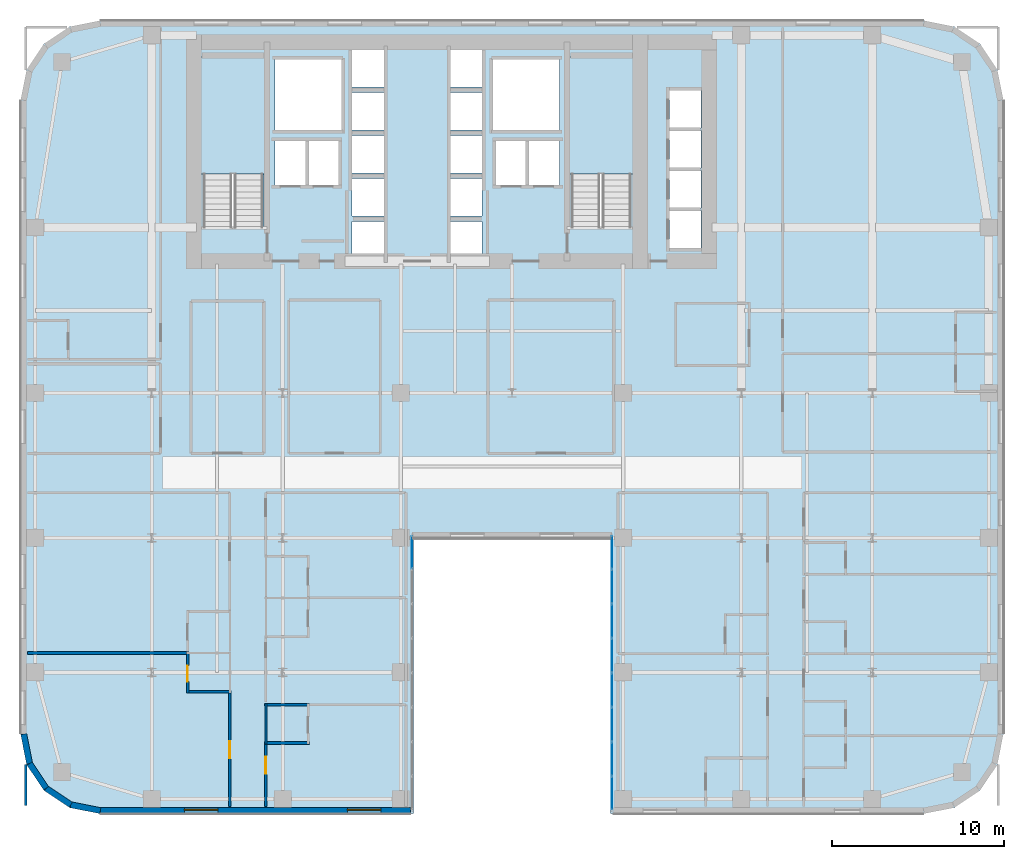
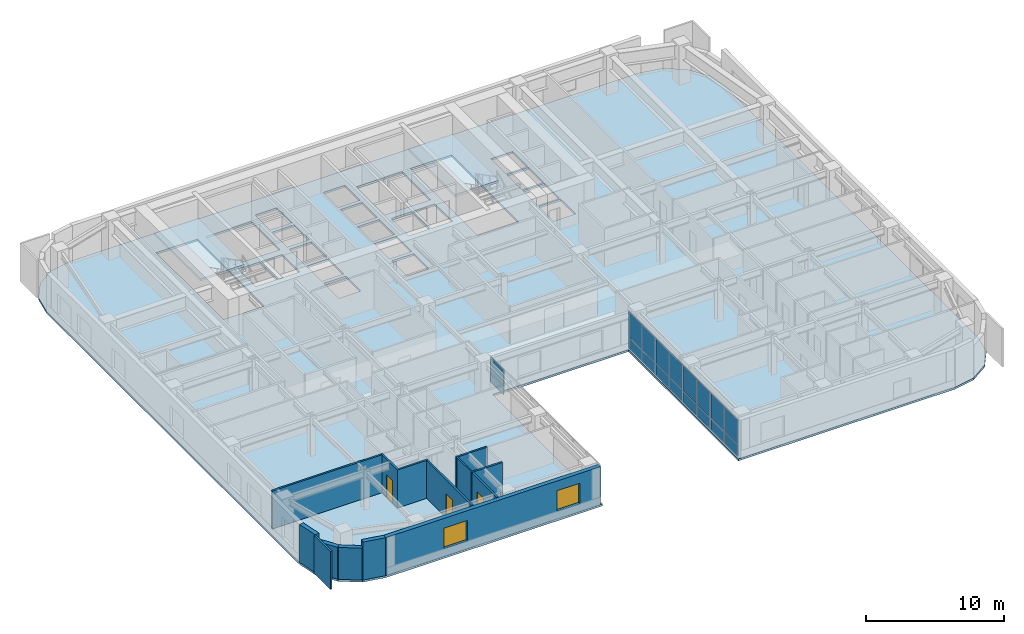
# One storey, part 13 of 24: 17 plates, 14 walls, 3 doors, 3 slabs, 2 windows, 5 openings, 4 elements without a shape of their own.
"""IFC4 building model written with IfcOpenShell, lengths in metres."""

from ifc_helpers import new_model, si_unit, direction, frame, frame_2d, origin, origin_2d, place, context, subcontext, project, spatial, polyline, rectangle, outline, extrude, source, transform, mapped, material, layer, layer_set, type_object, type_shapes, element, fill, aggregate, save


model = new_model("IFC4")

# Units and contexts
model_context = context("Model", 3, precision=1e-05, world=origin(), true_north=direction((0.0, 1.0)))
body_context = subcontext(model_context, "Body", "Model", "MODEL_VIEW")
ifc_project = project(units=[si_unit("LENGTHUNIT", "METRE"), si_unit("AREAUNIT", "SQUARE_METRE"), si_unit("VOLUMEUNIT", "CUBIC_METRE"), si_unit("PLANEANGLEUNIT", "RADIAN"), si_unit("MASSUNIT", "GRAM", prefix="KILO")], contexts=[model_context])

# Site, building, storey
site_placement = place(None, origin())
site = spatial("IfcSite", under=ifc_project, at=site_placement, CompositionType="ELEMENT")
building_placement = place(site_placement, origin())
building = spatial("IfcBuilding", under=site, at=building_placement, Name="Tolvann Quenvar Hotel", CompositionType="ELEMENT")
storey_placement = place(building_placement, frame((0.0, 0.0, 67.5)))
storey = spatial("IfcBuildingStorey", under=building, at=storey_placement, Name="L16", CompositionType="ELEMENT", Elevation=67.5)

# Stair, slab
ifc_material_1 = material(Name="Concrete N40 (40 MPa)", Category="concrete")
stair_type = type_object("IfcStairType", Name="STAIR", PredefinedType="HALF_TURN_STAIR", material=ifc_material_1)
stair_1_placement = place(storey_placement, origin())
stair_1 = element("IfcStair", 1, at=stair_1_placement, inside=storey, type_object=stair_type, Name="L16 ST-C1", PredefinedType="HALF_TURN_STAIR")
ifc_layer_1 = layer(ifc_material_1, 0.199951171875)
ifc_layer_set_1 = layer_set([ifc_layer_1], Name="Concrete N40 (40 MPa)")
slab_type_1 = type_object("IfcSlabType", Name="SLAB_LANDING", PredefinedType="LANDING", material=ifc_layer_set_1)
slab_1_placement = place(storey_placement, frame((0.0, 0.0, 1.574951171875)))
slab_1 = element("IfcSlab", 2, at=slab_1_placement, type_object=slab_type_1, Name="ST-C1 landing 1", PredefinedType="LANDING", context=body_context, shape_type="SweptSolid", body=[
    extrude(outline(polyline([(14.179931640625, 37.10498046875), (14.179931640625, 43.8798828125), (10.469970703125, 43.8798828125), (10.469970703125, 37.10498046875), (14.179931640625, 37.10498046875)])), origin(), (0.0, 0.0, 1.0), 0.199951171875),
])
aggregate(stair_1, [slab_1])

stair_2_placement = place(storey_placement, origin())
stair_2 = element("IfcStair", 3, at=stair_2_placement, inside=storey, type_object=stair_type, Name="L16 ST-C2", PredefinedType="HALF_TURN_STAIR")
slab_2_placement = place(storey_placement, frame((0.0, 0.0, 1.574951171875)))
slab_2 = element("IfcSlab", 4, at=slab_2_placement, type_object=slab_type_1, Name="ST-C2 landing 1", PredefinedType="LANDING", context=body_context, shape_type="SweptSolid", body=[
    extrude(outline(polyline([(35.530029296875, 37.10498046875), (35.530029296875, 43.8798828125), (31.820068359375, 43.8798828125), (31.820068359375, 37.10498046875), (35.530029296875, 37.10498046875)])), origin(), (0.0, 0.0, 1.0), 0.199951171875),
])
aggregate(stair_2, [slab_2])

# Slab
ifc_layer_2 = layer(ifc_material_1, 0.179931640625)
ifc_layer_set_2 = layer_set([ifc_layer_2], Name="Concrete N40 (40 MPa)")
slab_type_2 = type_object("IfcSlabType", Name="SLAB_TWR_180", PredefinedType="FLOOR", material=ifc_layer_set_2)
slab_3_placement = place(storey_placement, frame((0.0, 0.0, -0.179931640625)))
element("IfcSlab", 5, at=slab_3_placement, inside=storey, type_object=slab_type_2, Name="Level L16 Structural Floor Slab", PredefinedType="FLOOR", context=body_context, shape_type="SweptSolid", body=[
    extrude(outline(polyline([(0.0, 4.60009765625), (0.35009765625, 2.839599609375), (1.347412109375, 1.347412109375), (2.839599609375, 0.35009765625), (4.60009765625, 0.0), (22.800048828125, 0.0), (22.800048828125, 16.0), (34.199951171875, 16.0), (34.199951171875, 0.0), (52.39990234375, 0.0), (54.160400390625, 0.35009765625), (55.652587890625, 1.347412109375), (56.64990234375, 2.839599609375), (57.0, 4.60009765625), (57.0, 41.39990234375), (56.64990234375, 43.160400390625), (55.652587890625, 44.652587890625), (54.160400390625, 45.64990234375), (52.39990234375, 46.0), (4.60009765625, 46.0), (2.839599609375, 45.64990234375), (1.347412109375, 44.652587890625), (0.35009765625, 43.160400390625), (0.0, 41.39990234375), (0.0, 4.60009765625)]), holes=[polyline([(37.6298828125, 41.949951171875), (39.469970703125, 41.949951171875), (39.469970703125, 39.77001953125), (37.6298828125, 39.77001953125), (37.6298828125, 41.949951171875)]), polyline([(37.6298828125, 39.6298828125), (39.469970703125, 39.6298828125), (39.469970703125, 37.449951171875), (37.6298828125, 37.449951171875), (37.6298828125, 39.6298828125)]), polyline([(37.6298828125, 37.31005859375), (39.469970703125, 37.31005859375), (39.469970703125, 35.1298828125), (37.6298828125, 35.1298828125), (37.6298828125, 37.31005859375)]), polyline([(37.6298828125, 34.989990234375), (39.469970703125, 34.989990234375), (39.469970703125, 32.81005859375), (37.6298828125, 32.81005859375), (37.6298828125, 34.989990234375)]), polyline([(31.949951171875, 43.800048828125), (35.39990234375, 43.800048828125), (35.39990234375, 34.02490234375), (31.949951171875, 34.02490234375), (31.949951171875, 43.800048828125)]), polyline([(31.25, 39.02001953125), (31.25, 36.47998046875), (29.449951171875, 36.47998046875), (29.449951171875, 39.02001953125), (31.25, 39.02001953125)]), polyline([(31.25, 43.75), (31.25, 39.64990234375), (27.39990234375, 39.64990234375), (27.39990234375, 43.75), (31.25, 43.75)]), polyline([(27.574951171875, 39.02001953125), (29.324951171875, 39.02001953125), (29.324951171875, 36.47998046875), (27.574951171875, 36.47998046875), (27.574951171875, 39.02001953125)]), polyline([(26.77001953125, 36.840087890625), (26.77001953125, 34.659912109375), (24.929931640625, 34.659912109375), (24.929931640625, 36.840087890625), (26.77001953125, 36.840087890625)]), polyline([(26.77001953125, 44.340087890625), (26.77001953125, 42.159912109375), (24.929931640625, 42.159912109375), (24.929931640625, 44.340087890625), (26.77001953125, 44.340087890625)]), polyline([(26.77001953125, 41.840087890625), (26.77001953125, 39.659912109375), (24.929931640625, 39.659912109375), (24.929931640625, 41.840087890625), (26.77001953125, 41.840087890625)]), polyline([(26.77001953125, 39.340087890625), (26.77001953125, 37.159912109375), (24.929931640625, 37.159912109375), (24.929931640625, 39.340087890625), (26.77001953125, 39.340087890625)]), polyline([(24.929931640625, 34.340087890625), (26.77001953125, 34.340087890625), (26.77001953125, 32.159912109375), (24.929931640625, 32.159912109375), (24.929931640625, 34.340087890625)]), polyline([(21.070068359375, 44.340087890625), (21.070068359375, 42.159912109375), (19.22998046875, 42.159912109375), (19.22998046875, 44.340087890625), (21.070068359375, 44.340087890625)]), polyline([(19.22998046875, 41.840087890625), (21.070068359375, 41.840087890625), (21.070068359375, 39.659912109375), (19.22998046875, 39.659912109375), (19.22998046875, 41.840087890625)]), polyline([(21.070068359375, 39.340087890625), (21.070068359375, 37.159912109375), (19.22998046875, 37.159912109375), (19.22998046875, 39.340087890625), (21.070068359375, 39.340087890625)]), polyline([(19.22998046875, 36.840087890625), (21.070068359375, 36.840087890625), (21.070068359375, 34.659912109375), (19.22998046875, 34.659912109375), (19.22998046875, 36.840087890625)]), polyline([(19.22998046875, 34.340087890625), (21.070068359375, 34.340087890625), (21.070068359375, 32.159912109375), (19.22998046875, 32.159912109375), (19.22998046875, 34.340087890625)]), polyline([(18.60009765625, 43.75), (18.60009765625, 39.64990234375), (14.75, 39.64990234375), (14.75, 43.75), (18.60009765625, 43.75)]), polyline([(16.675048828125, 39.02001953125), (18.425048828125, 39.02001953125), (18.425048828125, 36.47998046875), (16.675048828125, 36.47998046875), (16.675048828125, 39.02001953125)]), polyline([(16.550048828125, 39.02001953125), (16.550048828125, 36.47998046875), (14.75, 36.47998046875), (14.75, 39.02001953125), (16.550048828125, 39.02001953125)]), polyline([(10.60009765625, 43.800048828125), (14.050048828125, 43.800048828125), (14.050048828125, 34.02490234375), (10.60009765625, 34.02490234375), (10.60009765625, 43.800048828125)])]), origin(), (0.0, 0.0, 1.0), 0.179931640625),
])

# Curtain wall, plates
ifc_material_2 = material(Name="Thermally broken anodised architectural aluminium 6063-T6 and laminated low-E glass", Category="aluminium")
ifc_layer_3 = layer(ifc_material_2, 0.179931640625)
ifc_layer_set_3 = layer_set([ifc_layer_3], Name="Thermally broken anodised architectural aluminium 6063-T6 and laminated low-E glass")
curtain_wall_type = type_object("IfcCurtainWallType", Name="CW_SYS_SLOT_03", PredefinedType="USERDEFINED", material=ifc_layer_set_3)
curtain_wall_1_placement = place(storey_placement, origin())
curtain_wall_1 = element("IfcCurtainWall", 6, at=curtain_wall_1_placement, inside=storey, type_object=curtain_wall_type, Name="Curtain Wall CW-SLOT-03 (CWR-L16-E07)", ObjectType="UNITISED CURTAIN WALL", PredefinedType="USERDEFINED")
ifc_material_3 = material(Name="Low-iron laminated double glazing with solar-control coating", Category="glass")
ifc_layer_4 = layer(ifc_material_3, 0.028076171875)
ifc_layer_set_4 = layer_set([ifc_layer_4], Name="Low-iron laminated double glazing with solar-control coating")
plate_type = type_object("IfcPlateType", Name="CW_PAN_VISION_28", PredefinedType="CURTAIN_PANEL", material=ifc_layer_set_4)
shared_shape_1 = source(origin(), body_context, "Body", "SweptSolid", [
    extrude(rectangle(XDim=1.89501953125, YDim=0.028076171875, at=origin_2d()), origin(), (0.0, 0.0, 1.0), 0.9599609375),
])
plate_1_placement = place(storey_placement, frame((34.2900390625, 15.157470703125, 0.06005859375), z_axis=(0.0, 0.0, 1.0), x_axis=(0.0, -1.0, 0.0)))
plate_1 = element("IfcPlate", 7, at=plate_1_placement, type_object=plate_type, Name="CW-SLOT-03 panel 1.1", PredefinedType="CURTAIN_PANEL", context=body_context, shape_type="MappedRepresentation", body=[
    mapped(shared_shape_1, transform((0.0, 0.0, 0.0), x_axis=(1.0, 0.0, 0.0), y_axis=(0.0, 1.0, 0.0), z_axis=(0.0, 0.0, 1.0), scale=1.0)),
])
plate_2_placement = place(storey_placement, frame((34.2900390625, 1.1923828125, 0.06005859375), z_axis=(0.0, 0.0, 1.0), x_axis=(0.0, -1.0, 0.0)))
plate_2 = element("IfcPlate", 8, at=plate_2_placement, type_object=plate_type, Name="CW-SLOT-03 panel 8.1", PredefinedType="CURTAIN_PANEL", context=body_context, shape_type="MappedRepresentation", body=[
    mapped(shared_shape_1, transform((0.0, 0.0, 0.0), x_axis=(1.0, 0.0, 0.0), y_axis=(0.0, 1.0, 0.0), z_axis=(0.0, 0.0, 1.0), scale=1.0)),
])

# Curtain wall, plate
curtain_wall_2_placement = place(storey_placement, origin())
curtain_wall_2 = element("IfcCurtainWall", 9, at=curtain_wall_2_placement, inside=storey, type_object=curtain_wall_type, Name="Curtain Wall CW-SLOT-03 (CWR-L16-E05)", ObjectType="UNITISED CURTAIN WALL", PredefinedType="USERDEFINED")
shared_shape_2 = source(origin(), body_context, "Body", "SweptSolid", [
    extrude(rectangle(XDim=1.89501953125, YDim=0.028076171875, at=origin_2d()), origin(), (0.0, 0.0, 1.0), 2.22998046875),
])
plate_3_placement = place(storey_placement, frame((22.7099609375, 15.157470703125, 1.080078125), z_axis=(0.0, 0.0, 1.0), x_axis=(0.0, 1.0, 0.0)))
plate_3 = element("IfcPlate", 10, at=plate_3_placement, type_object=plate_type, Name="CW-SLOT-03 panel 8.2", PredefinedType="CURTAIN_PANEL", context=body_context, shape_type="MappedRepresentation", body=[
    mapped(shared_shape_2, transform((0.0, 0.0, 0.0), x_axis=(1.0, 0.0, 0.0), y_axis=(0.0, 1.0, 0.0), z_axis=(0.0, 0.0, 1.0), scale=1.0)),
])
aggregate(curtain_wall_2, [plate_3])

# Plate
plate_4_placement = place(storey_placement, frame((34.2900390625, 15.157470703125, 1.080078125), z_axis=(0.0, 0.0, 1.0), x_axis=(0.0, -1.0, 0.0)))
plate_4 = element("IfcPlate", 11, at=plate_4_placement, type_object=plate_type, Name="CW-SLOT-03 panel 1.2", PredefinedType="CURTAIN_PANEL", context=body_context, shape_type="MappedRepresentation", body=[
    mapped(shared_shape_2, transform((0.0, 0.0, 0.0), x_axis=(1.0, 0.0, 0.0), y_axis=(0.0, 1.0, 0.0), z_axis=(0.0, 0.0, 1.0), scale=1.0)),
])

plate_5_placement = place(storey_placement, frame((34.2900390625, 1.1923828125, 1.080078125), z_axis=(0.0, 0.0, 1.0), x_axis=(0.0, -1.0, 0.0)))
plate_5 = element("IfcPlate", 12, at=plate_5_placement, type_object=plate_type, Name="CW-SLOT-03 panel 8.2", PredefinedType="CURTAIN_PANEL", context=body_context, shape_type="MappedRepresentation", body=[
    mapped(shared_shape_2, transform((0.0, 0.0, 0.0), x_axis=(1.0, 0.0, 0.0), y_axis=(0.0, 1.0, 0.0), z_axis=(0.0, 0.0, 1.0), scale=1.0)),
])

shared_shape_3 = source(origin(), body_context, "Body", "SweptSolid", [
    extrude(rectangle(XDim=1.929931640625, YDim=0.028076171875, at=origin_2d()), origin(), (0.0, 0.0, 1.0), 0.9599609375),
])
plate_6_placement = place(storey_placement, frame((34.2900390625, 13.175048828125, 0.06005859375), z_axis=(0.0, 0.0, 1.0), x_axis=(0.0, -1.0, 0.0)))
plate_6 = element("IfcPlate", 13, at=plate_6_placement, type_object=plate_type, Name="CW-SLOT-03 panel 2.1", PredefinedType="CURTAIN_PANEL", context=body_context, shape_type="MappedRepresentation", body=[
    mapped(shared_shape_3, transform((0.0, 0.0, 0.0), x_axis=(1.0, 0.0, 0.0), y_axis=(0.0, 1.0, 0.0), z_axis=(0.0, 0.0, 1.0), scale=1.0)),
])

plate_7_placement = place(storey_placement, frame((34.2900390625, 11.175048828125, 0.06005859375), z_axis=(0.0, 0.0, 1.0), x_axis=(0.0, -1.0, 0.0)))
plate_7 = element("IfcPlate", 14, at=plate_7_placement, type_object=plate_type, Name="CW-SLOT-03 panel 3.1", PredefinedType="CURTAIN_PANEL", context=body_context, shape_type="MappedRepresentation", body=[
    mapped(shared_shape_3, transform((0.0, 0.0, 0.0), x_axis=(1.0, 0.0, 0.0), y_axis=(0.0, 1.0, 0.0), z_axis=(0.0, 0.0, 1.0), scale=1.0)),
])

plate_8_placement = place(storey_placement, frame((34.2900390625, 9.175048828125, 0.06005859375), z_axis=(0.0, 0.0, 1.0), x_axis=(0.0, -1.0, 0.0)))
plate_8 = element("IfcPlate", 15, at=plate_8_placement, type_object=plate_type, Name="CW-SLOT-03 panel 4.1", PredefinedType="CURTAIN_PANEL", context=body_context, shape_type="MappedRepresentation", body=[
    mapped(shared_shape_3, transform((0.0, 0.0, 0.0), x_axis=(1.0, 0.0, 0.0), y_axis=(0.0, 1.0, 0.0), z_axis=(0.0, 0.0, 1.0), scale=1.0)),
])

plate_9_placement = place(storey_placement, frame((34.2900390625, 7.175048828125, 0.06005859375), z_axis=(0.0, 0.0, 1.0), x_axis=(0.0, -1.0, 0.0)))
plate_9 = element("IfcPlate", 16, at=plate_9_placement, type_object=plate_type, Name="CW-SLOT-03 panel 5.1", PredefinedType="CURTAIN_PANEL", context=body_context, shape_type="MappedRepresentation", body=[
    mapped(shared_shape_3, transform((0.0, 0.0, 0.0), x_axis=(1.0, 0.0, 0.0), y_axis=(0.0, 1.0, 0.0), z_axis=(0.0, 0.0, 1.0), scale=1.0)),
])

plate_10_placement = place(storey_placement, frame((34.2900390625, 5.175048828125, 0.06005859375), z_axis=(0.0, 0.0, 1.0), x_axis=(0.0, -1.0, 0.0)))
plate_10 = element("IfcPlate", 17, at=plate_10_placement, type_object=plate_type, Name="CW-SLOT-03 panel 6.1", PredefinedType="CURTAIN_PANEL", context=body_context, shape_type="MappedRepresentation", body=[
    mapped(shared_shape_3, transform((0.0, 0.0, 0.0), x_axis=(1.0, 0.0, 0.0), y_axis=(0.0, 1.0, 0.0), z_axis=(0.0, 0.0, 1.0), scale=1.0)),
])

plate_11_placement = place(storey_placement, frame((34.2900390625, 3.175048828125, 0.06005859375), z_axis=(0.0, 0.0, 1.0), x_axis=(0.0, -1.0, 0.0)))
plate_11 = element("IfcPlate", 18, at=plate_11_placement, type_object=plate_type, Name="CW-SLOT-03 panel 7.1", PredefinedType="CURTAIN_PANEL", context=body_context, shape_type="MappedRepresentation", body=[
    mapped(shared_shape_3, transform((0.0, 0.0, 0.0), x_axis=(1.0, 0.0, 0.0), y_axis=(0.0, 1.0, 0.0), z_axis=(0.0, 0.0, 1.0), scale=1.0)),
])

shared_shape_4 = source(origin(), body_context, "Body", "SweptSolid", [
    extrude(rectangle(XDim=1.929931640625, YDim=0.028076171875, at=origin_2d()), origin(), (0.0, 0.0, 1.0), 2.22998046875),
])
type_shapes(plate_type, [shared_shape_1, shared_shape_2, shared_shape_3, shared_shape_4])
plate_12_placement = place(storey_placement, frame((34.2900390625, 13.175048828125, 1.080078125), z_axis=(0.0, 0.0, 1.0), x_axis=(0.0, -1.0, 0.0)))
plate_12 = element("IfcPlate", 19, at=plate_12_placement, type_object=plate_type, Name="CW-SLOT-03 panel 2.2", PredefinedType="CURTAIN_PANEL", context=body_context, shape_type="MappedRepresentation", body=[
    mapped(shared_shape_4, transform((0.0, 0.0, 0.0), x_axis=(1.0, 0.0, 0.0), y_axis=(0.0, 1.0, 0.0), z_axis=(0.0, 0.0, 1.0), scale=1.0)),
])

plate_13_placement = place(storey_placement, frame((34.2900390625, 11.175048828125, 1.080078125), z_axis=(0.0, 0.0, 1.0), x_axis=(0.0, -1.0, 0.0)))
plate_13 = element("IfcPlate", 20, at=plate_13_placement, type_object=plate_type, Name="CW-SLOT-03 panel 3.2", PredefinedType="CURTAIN_PANEL", context=body_context, shape_type="MappedRepresentation", body=[
    mapped(shared_shape_4, transform((0.0, 0.0, 0.0), x_axis=(1.0, 0.0, 0.0), y_axis=(0.0, 1.0, 0.0), z_axis=(0.0, 0.0, 1.0), scale=1.0)),
])

plate_14_placement = place(storey_placement, frame((34.2900390625, 9.175048828125, 1.080078125), z_axis=(0.0, 0.0, 1.0), x_axis=(0.0, -1.0, 0.0)))
plate_14 = element("IfcPlate", 21, at=plate_14_placement, type_object=plate_type, Name="CW-SLOT-03 panel 4.2", PredefinedType="CURTAIN_PANEL", context=body_context, shape_type="MappedRepresentation", body=[
    mapped(shared_shape_4, transform((0.0, 0.0, 0.0), x_axis=(1.0, 0.0, 0.0), y_axis=(0.0, 1.0, 0.0), z_axis=(0.0, 0.0, 1.0), scale=1.0)),
])

plate_15_placement = place(storey_placement, frame((34.2900390625, 7.175048828125, 1.080078125), z_axis=(0.0, 0.0, 1.0), x_axis=(0.0, -1.0, 0.0)))
plate_15 = element("IfcPlate", 22, at=plate_15_placement, type_object=plate_type, Name="CW-SLOT-03 panel 5.2", PredefinedType="CURTAIN_PANEL", context=body_context, shape_type="MappedRepresentation", body=[
    mapped(shared_shape_4, transform((0.0, 0.0, 0.0), x_axis=(1.0, 0.0, 0.0), y_axis=(0.0, 1.0, 0.0), z_axis=(0.0, 0.0, 1.0), scale=1.0)),
])

plate_16_placement = place(storey_placement, frame((34.2900390625, 5.175048828125, 1.080078125), z_axis=(0.0, 0.0, 1.0), x_axis=(0.0, -1.0, 0.0)))
plate_16 = element("IfcPlate", 23, at=plate_16_placement, type_object=plate_type, Name="CW-SLOT-03 panel 6.2", PredefinedType="CURTAIN_PANEL", context=body_context, shape_type="MappedRepresentation", body=[
    mapped(shared_shape_4, transform((0.0, 0.0, 0.0), x_axis=(1.0, 0.0, 0.0), y_axis=(0.0, 1.0, 0.0), z_axis=(0.0, 0.0, 1.0), scale=1.0)),
])

plate_17_placement = place(storey_placement, frame((34.2900390625, 3.175048828125, 1.080078125), z_axis=(0.0, 0.0, 1.0), x_axis=(0.0, -1.0, 0.0)))
plate_17 = element("IfcPlate", 24, at=plate_17_placement, type_object=plate_type, Name="CW-SLOT-03 panel 7.2", PredefinedType="CURTAIN_PANEL", context=body_context, shape_type="MappedRepresentation", body=[
    mapped(shared_shape_4, transform((0.0, 0.0, 0.0), x_axis=(1.0, 0.0, 0.0), y_axis=(0.0, 1.0, 0.0), z_axis=(0.0, 0.0, 1.0), scale=1.0)),
])

aggregate(curtain_wall_1, [plate_1, plate_4, plate_6, plate_12, plate_7, plate_13, plate_8, plate_14, plate_9, plate_15, plate_10, plate_16, plate_11, plate_17, plate_2, plate_5])

# Walls
ifc_material_4 = material(Name="Kiln-fired red and buff architectural clay brickwork and terracotta masonry", Category="masonry")
ifc_layer_5 = layer(ifc_material_4, 0.35009765625)
ifc_layer_set_5 = layer_set([ifc_layer_5], Name="Kiln-fired red and buff architectural clay brickwork and terracotta masonry")
wall_type_1 = type_object("IfcWallType", Name="WALL_EXT_BRICK_350", PredefinedType="SOLIDWALL", material=ifc_layer_set_5)
for number, where, z_axis, x_axis, name in (
    (25, (0.514892578125, 2.907958984375, 0.0), (0.0, 0.0, 1.0), (0.55554893791, -0.831483840845, 0.0), "Exterior Chicago Brick Wall L16-E01"),
    (26, (1.473388671875, 1.473388671875, 0.0), (0.0, 0.0, 1.0), (0.831483840845, -0.55554893791, 0.0), "Exterior Chicago Brick Wall L16-E02"),
):
    element("IfcWall", number, at=place(storey_placement, frame(where, z_axis=z_axis, x_axis=x_axis)), inside=storey, type_object=wall_type_1, Name=name, PredefinedType="SOLIDWALL", context=body_context, shape_type="SweptSolid", body=[
        extrude(rectangle(XDim=1.725341796875, YDim=0.35009765625, at=frame_2d((0.86279296875, 0.0))), origin(), (0.0, 0.0, 1.0), 2.83203125),
    ])
wall_1_placement = place(storey_placement, frame((2.907958984375, 0.514892578125, 0.0), z_axis=(0.0, 0.0, 1.0), x_axis=(0.980800971659, -0.195011420161, 0.0)))
element("IfcWall", 27, at=wall_1_placement, inside=storey, type_object=wall_type_1, Name="Exterior Chicago Brick Wall L16-E03", PredefinedType="SOLIDWALL", context=body_context, shape_type="SweptSolid", body=[
    extrude(rectangle(XDim=1.74267578125, YDim=0.35009765625, at=frame_2d((0.871337890625, 0.0))), origin(), (0.0, 0.0, 1.0), 3.3701171875),
])

# Wall, openings, windows
wall_2_placement = place(storey_placement, frame((4.6171875, 0.175048828125, 0.0), z_axis=(0.0, 0.0, 1.0), x_axis=(1.0, 0.0, 0.0)))
wall_2 = element("IfcWall", 28, at=wall_2_placement, inside=storey, type_object=wall_type_1, Name="Exterior Chicago Brick Wall L16-E04", PredefinedType="SOLIDWALL", context=body_context, shape_type="SweptSolid", body=[
    extrude(rectangle(XDim=18.0078125, YDim=0.35009765625, at=frame_2d((9.00390625, 0.0))), origin(), (0.0, 0.0, 1.0), 3.3701171875),
])
opening_1_placement = place(wall_2_placement, frame((4.8779296875, 0.0, 0.679931640625)))
opening_1 = element("IfcOpeningElement", 29, at=opening_1_placement, cuts=wall_2, Name="Opening W-10", PredefinedType="OPENING", context=body_context, shape_type="SweptSolid", body=[
    extrude(rectangle(XDim=1.949951171875, YDim=1.820068359375, at=frame_2d((0.97509765625, 0.91015625))), frame((0.0, 0.18505859375, 0.0), z_axis=(0.0, -1.0, 0.0), x_axis=(1.0, 0.0, 0.0)), (0.0, 0.0, 1.0), 0.3701171875),
])
opening_2_placement = place(wall_2_placement, frame((14.33203125, 0.0, 0.679931640625)))
opening_2 = element("IfcOpeningElement", 30, at=opening_2_placement, cuts=wall_2, Name="Opening W-10", PredefinedType="OPENING", context=body_context, shape_type="SweptSolid", body=[
    extrude(rectangle(XDim=1.949951171875, YDim=1.820068359375, at=frame_2d((0.97509765625, 0.91015625))), frame((0.0, 0.18505859375, 0.0), z_axis=(0.0, -1.0, 0.0), x_axis=(1.0, 0.0, 0.0)), (0.0, 0.0, 1.0), 0.3701171875),
])
ifc_material_5 = material(Name="Thermally broken bronze-anodised aluminium frame with double low-E glazing", Category="aluminium")
window_type = type_object("IfcWindowType", Name="WIN_CLB_1950x1850", PartitioningType="DOUBLE_PANEL_VERTICAL", PredefinedType="WINDOW", material=ifc_material_5)
shared_shape_5 = source(origin(), body_context, "Body", "SweptSolid", [
    extrude(rectangle(XDim=1.949951171875, YDim=1.820068359375, at=frame_2d((0.97509765625, 0.91015625))), frame((0.0, 0.090087890625, 0.0), z_axis=(0.0, -1.0, 0.0), x_axis=(1.0, 0.0, 0.0)), (0.0, 0.0, 1.0), 0.06005859375),
])
type_shapes(window_type, [shared_shape_5])
window_1_placement = place(opening_1_placement, origin())
window_1 = element("IfcWindow", 31, at=window_1_placement, inside=storey, type_object=window_type, Name="Chicago Window W-10 (EW-L16-E04-W01)", OverallHeight=1.820068359375, OverallWidth=1.949951171875, PartitioningType="DOUBLE_PANEL_VERTICAL", PredefinedType="WINDOW", context=body_context, shape_type="MappedRepresentation", body=[
    mapped(shared_shape_5, transform((0.0, 0.0, 0.0), x_axis=(1.0, 0.0, 0.0), y_axis=(0.0, 1.0, 0.0), z_axis=(0.0, 0.0, 1.0), scale=1.0)),
])
fill(opening_1, window_1)
window_2_placement = place(opening_2_placement, origin())
window_2 = element("IfcWindow", 32, at=window_2_placement, inside=storey, type_object=window_type, Name="Chicago Window W-10 (EW-L16-E04-W02)", OverallHeight=1.820068359375, OverallWidth=1.949951171875, PartitioningType="DOUBLE_PANEL_VERTICAL", PredefinedType="WINDOW", context=body_context, shape_type="MappedRepresentation", body=[
    mapped(shared_shape_5, transform((0.0, 0.0, 0.0), x_axis=(1.0, 0.0, 0.0), y_axis=(0.0, 1.0, 0.0), z_axis=(0.0, 0.0, 1.0), scale=1.0)),
])
fill(opening_2, window_2)

# Walls
wall_3_placement = place(storey_placement, frame((0.175048828125, 4.6171875, 0.0), z_axis=(0.0, 0.0, 1.0), x_axis=(0.195011420161, -0.980800971659, 0.0)))
element("IfcWall", 33, at=wall_3_placement, inside=storey, type_object=wall_type_1, Name="Exterior Chicago Brick Wall L16-E24", PredefinedType="SOLIDWALL", context=body_context, shape_type="SweptSolid", body=[
    extrude(rectangle(XDim=1.74267578125, YDim=0.35009765625, at=frame_2d((0.871337890625, 0.0))), origin(), (0.0, 0.0, 1.0), 3.3701171875),
])
ifc_material_6 = material(Name="Moisture-resistant acoustic plumbing wall assembly")
ifc_layer_6 = layer(ifc_material_6, 0.1201171875)
ifc_layer_set_6 = layer_set([ifc_layer_6], Name="Moisture-resistant acoustic plumbing wall assembly")
wall_type_2 = type_object("IfcWallType", Name="WALL_PART_BATH_120", PredefinedType="PLUMBINGWALL", material=ifc_layer_set_6)
wall_4_placement = place(storey_placement, frame((14.219970703125, 4.031005859375, 0.0), z_axis=(0.0, 0.0, 1.0), x_axis=(0.0, 1.0, 0.0)))
element("IfcWall", 34, at=wall_4_placement, inside=storey, type_object=wall_type_2, Name="Non-Rated Plumbing Partition PT-SPC-L16-ENS-WI01-W", PredefinedType="PLUMBINGWALL", context=body_context, shape_type="SweptSolid", body=[
    extrude(rectangle(XDim=2.35888671875, YDim=0.1201171875, at=frame_2d((1.179443359375, 0.0))), origin(), (0.0, 0.0, 1.0), 3.3701171875),
])

# Wall, opening, door
ifc_material_7 = material(Name="Acoustic twin-stud fire-rated gypsum plasterboard partition")
ifc_layer_7 = layer(ifc_material_7, 0.14990234375)
ifc_layer_set_7 = layer_set([ifc_layer_7], Name="Acoustic twin-stud fire-rated gypsum plasterboard partition")
wall_type_3 = type_object("IfcWallType", Name="WALL_PART_SUITE_150", PredefinedType="PARTITIONING", material=ifc_layer_set_7)
wall_5_placement = place(storey_placement, frame((9.679931640625, 7.0, 0.0), z_axis=(0.0, 0.0, 1.0), x_axis=(0.0, 1.0, 0.0)))
wall_5 = element("IfcWall", 35, at=wall_5_placement, inside=storey, type_object=wall_type_3, Name="Interior Partition PT-SPC-L16-ENS-WO01-ENT", PredefinedType="PARTITIONING", context=body_context, shape_type="SweptSolid", body=[
    extrude(rectangle(XDim=2.389892578125, YDim=0.14990234375, at=frame_2d((1.19482421875, 0.0))), origin(), (0.0, 0.0, 1.0), 3.3701171875),
])
opening_3_placement = place(wall_5_placement, frame((0.6650390625, 0.0, 0.0)))
opening_3 = element("IfcOpeningElement", 36, at=opening_3_placement, cuts=wall_5, Name="Opening WD-01", PredefinedType="OPENING", context=body_context, shape_type="SweptSolid", body=[
    extrude(rectangle(XDim=0.919921875, YDim=2.010009765625, at=frame_2d((0.4599609375, 1.0048828125))), frame((0.0, 0.0849609375, 0.0), z_axis=(0.0, -1.0, 0.0), x_axis=(1.0, 0.0, 0.0)), (0.0, 0.0, 1.0), 0.169921875),
])
ifc_material_8 = material(Name="Solid-core American oak acoustic fire door leaf in steel frame", Category="steel")
door_type_1 = type_object("IfcDoorType", Name="DOOR_WC_920", OperationType="NOTDEFINED", PredefinedType="DOOR", material=ifc_material_8)
shared_shape_6 = source(origin(), body_context, "Body", "SweptSolid", [
    extrude(rectangle(XDim=0.919921875, YDim=2.010009765625, at=frame_2d((0.4599609375, 1.0048828125))), frame((0.0, 0.02490234375, 0.0), z_axis=(0.0, -1.0, 0.0), x_axis=(1.0, 0.0, 0.0)), (0.0, 0.0, 1.0), 0.050048828125),
])
type_shapes(door_type_1, [shared_shape_6])
door_1_placement = place(opening_3_placement, origin())
door_1 = element("IfcDoor", 37, at=door_1_placement, inside=storey, type_object=door_type_1, Name="Interior Door DOOR-SPC-L16-ENS-WO01", OperationType="SINGLE_SWING_RIGHT", OverallHeight=2.010009765625, OverallWidth=0.919921875, PredefinedType="DOOR", context=body_context, shape_type="MappedRepresentation", body=[
    mapped(shared_shape_6, transform((0.0, 0.0, 0.0), x_axis=(1.0, 0.0, 0.0), y_axis=(0.0, 1.0, 0.0), z_axis=(0.0, 0.0, 1.0), scale=1.0)),
])
fill(opening_3, door_1)

# Walls
wall_6_placement = place(storey_placement, frame((9.610107421875, 7.070068359375, 0.0), z_axis=(0.0, 0.0, 1.0), x_axis=(1.0, 0.0, 0.0)))
element("IfcWall", 38, at=wall_6_placement, inside=storey, type_object=wall_type_3, Name="Interior Partition PT-SPC-L16-ENS-WO01-S", PredefinedType="PARTITIONING", context=body_context, shape_type="SweptSolid", body=[
    extrude(rectangle(XDim=2.58984375, YDim=0.14990234375, at=frame_2d((1.294921875, 0.0))), origin(), (0.0, 0.0, 1.0), 3.3701171875),
])
for number, where, z_axis, x_axis, name in (
    (39, (14.14990234375, 4.10107421875, 0.0), (0.0, 0.0, 1.0), (1.0, 0.0, 0.0), "Interior Partition PT-SPC-L16-ENS-WI01-S"),
    (40, (14.14990234375, 6.320068359375, 0.0), (0.0, 0.0, 1.0), (1.0, 0.0, 0.0), "Interior Partition PT-SPC-L16-ENS-WI01-N"),
):
    element("IfcWall", number, at=place(storey_placement, frame(where, z_axis=z_axis, x_axis=x_axis)), inside=storey, type_object=wall_type_3, Name=name, PredefinedType="PARTITIONING", context=body_context, shape_type="SweptSolid", body=[
        extrude(rectangle(XDim=2.590087890625, YDim=0.14990234375, at=frame_2d((1.294921875, 0.0))), origin(), (0.0, 0.0, 1.0), 3.3701171875),
    ])

# Wall, opening, door
wall_7_placement = place(storey_placement, frame((12.1298828125, 0.405029296875, 0.0), z_axis=(0.0, 0.0, 1.0), x_axis=(0.0, 1.0, 0.0)))
wall_7 = element("IfcWall", 41, at=wall_7_placement, inside=storey, type_object=wall_type_3, Name="Interior Partition PT-SPC-L16-RM-WO01-ENT", PredefinedType="PARTITIONING", context=body_context, shape_type="SweptSolid", body=[
    extrude(rectangle(XDim=6.5849609375, YDim=0.14990234375, at=frame_2d((3.29248046875, 0.0))), origin(), (0.0, 0.0, 1.0), 3.3701171875),
])
opening_4_placement = place(wall_7_placement, frame((2.81005859375, 0.0, 0.0)))
opening_4 = element("IfcOpeningElement", 42, at=opening_4_placement, cuts=wall_7, Name="Opening SD-01", PredefinedType="OPENING", context=body_context, shape_type="SweptSolid", body=[
    extrude(rectangle(XDim=0.97998046875, YDim=2.1201171875, at=frame_2d((0.489990234375, 1.06005859375))), frame((0.0, 0.0849609375, 0.0), z_axis=(0.0, -1.0, 0.0), x_axis=(1.0, 0.0, 0.0)), (0.0, 0.0, 1.0), 0.169921875),
])
door_type_2 = type_object("IfcDoorType", Name="DOOR_SUITE_980", OperationType="NOTDEFINED", PredefinedType="DOOR", material=ifc_material_8)
shared_shape_7 = source(origin(), body_context, "Body", "SweptSolid", [
    extrude(rectangle(XDim=0.97998046875, YDim=2.1201171875, at=frame_2d((0.489990234375, 1.06005859375))), frame((0.0, 0.02490234375, 0.0), z_axis=(0.0, -1.0, 0.0), x_axis=(1.0, 0.0, 0.0)), (0.0, 0.0, 1.0), 0.050048828125),
])
type_shapes(door_type_2, [shared_shape_7])
door_2_placement = place(opening_4_placement, origin())
door_2 = element("IfcDoor", 43, at=door_2_placement, inside=storey, type_object=door_type_2, Name="Interior Door DOOR-SPC-L16-RM-WO01", OperationType="SINGLE_SWING_RIGHT", OverallHeight=2.1201171875, OverallWidth=0.97998046875, PredefinedType="DOOR", context=body_context, shape_type="MappedRepresentation", body=[
    mapped(shared_shape_7, transform((0.0, 0.0, 0.0), x_axis=(1.0, 0.0, 0.0), y_axis=(0.0, 1.0, 0.0), z_axis=(0.0, 0.0, 1.0), scale=1.0)),
])
fill(opening_4, door_2)

# Walls
wall_8_placement = place(storey_placement, frame((0.405029296875, 9.320068359375, 0.0), z_axis=(0.0, 0.0, 1.0), x_axis=(1.0, 0.0, 0.0)))
element("IfcWall", 44, at=wall_8_placement, inside=storey, type_object=wall_type_3, Name="Interior Partition PT-SPC-L16-RM-WO01-E5", PredefinedType="PARTITIONING", context=body_context, shape_type="SweptSolid", body=[
    extrude(rectangle(XDim=9.2548828125, YDim=0.14990234375, at=frame_2d((4.62744140625, 0.0))), origin(), (0.0, 0.0, 1.0), 3.3701171875),
])
wall_9_placement = place(storey_placement, frame((0.300048828125, 0.47998046875, 0.0), z_axis=(0.0, 0.0, 1.0), x_axis=(0.0, 1.0, 0.0)))
element("IfcWall", 45, at=wall_9_placement, inside=storey, type_object=wall_type_3, Name="Interior Partition PT-SPC-L16-RM-WO01-E6", PredefinedType="PARTITIONING", context=body_context, shape_type="SweptSolid", body=[
    extrude(rectangle(XDim=2.385009765625, YDim=0.14990234375, at=frame_2d((1.1923828125, 0.0))), origin(), (0.0, 0.0, 1.0), 3.3701171875),
])

# Wall, opening, door
wall_10_placement = place(storey_placement, frame((14.219970703125, 0.405029296875, 0.0), z_axis=(0.0, 0.0, 1.0), x_axis=(0.0, 1.0, 0.0)))
wall_10 = element("IfcWall", 46, at=wall_10_placement, inside=storey, type_object=wall_type_3, Name="Interior Partition PT-SPC-L16-RM-WI01-ENT", PredefinedType="PARTITIONING", context=body_context, shape_type="SweptSolid", body=[
    extrude(rectangle(XDim=3.615966796875, YDim=0.14990234375, at=frame_2d((1.80810546875, 0.0))), origin(), (0.0, 0.0, 1.0), 3.3701171875),
])
opening_5_placement = place(wall_10_placement, frame((1.925537109375, 0.0, 0.0)))
opening_5 = element("IfcOpeningElement", 47, at=opening_5_placement, cuts=wall_10, Name="Opening SD-01", PredefinedType="OPENING", context=body_context, shape_type="SweptSolid", body=[
    extrude(rectangle(XDim=0.97998046875, YDim=2.1201171875, at=frame_2d((0.489990234375, 1.06005859375))), frame((0.0, 0.0849609375, 0.0), z_axis=(0.0, -1.0, 0.0), x_axis=(1.0, 0.0, 0.0)), (0.0, 0.0, 1.0), 0.169921875),
])
door_3_placement = place(opening_5_placement, origin())
door_3 = element("IfcDoor", 48, at=door_3_placement, inside=storey, type_object=door_type_2, Name="Interior Door DOOR-SPC-L16-RM-WI01", OperationType="SINGLE_SWING_RIGHT", OverallHeight=2.1201171875, OverallWidth=0.97998046875, PredefinedType="DOOR", context=body_context, shape_type="MappedRepresentation", body=[
    mapped(shared_shape_7, transform((0.0, 0.0, 0.0), x_axis=(1.0, 0.0, 0.0), y_axis=(0.0, 1.0, 0.0), z_axis=(0.0, 0.0, 1.0), scale=1.0)),
])
fill(opening_5, door_3)

save(model, "model.ifc")
